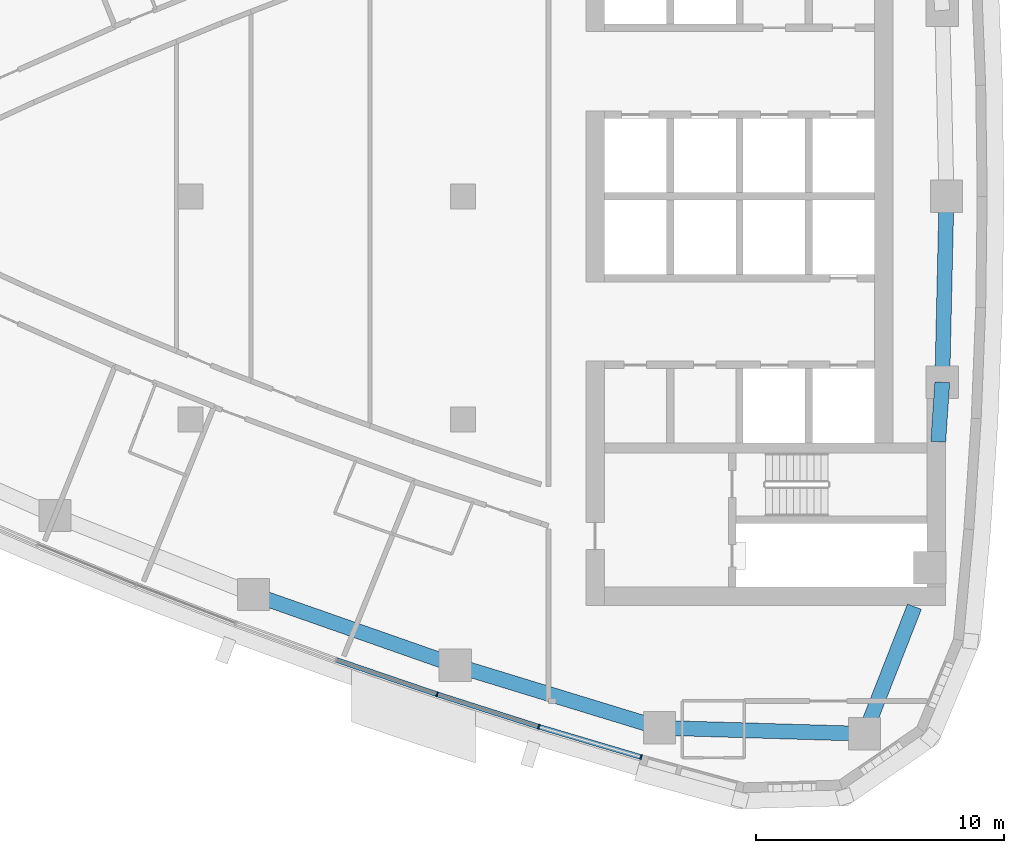
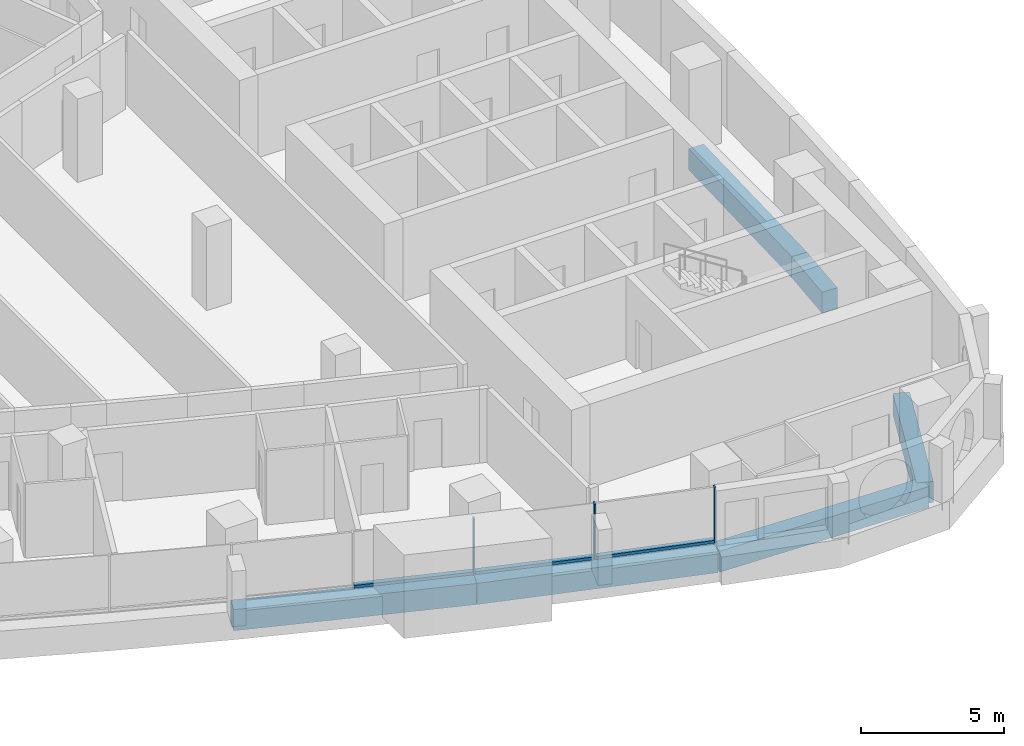
# One storey, part 4 of 17: 6 beams, 6 members, 2 elements without a shape of their own.
"""IFC4 building model written with IfcOpenShell, lengths in metres."""

from ifc_helpers import new_model, si_unit, direction, frame, origin, origin_2d, place, context, subcontext, project, spatial, rectangle, extrude, material, layer, layer_set, material_profile, profile_set, type_object, element, aggregate, save


model = new_model("IFC4")

# Units and contexts
model_context = context("Model", 3, precision=1e-05, world=origin(), true_north=direction((0.0, 1.0)))
body_context = subcontext(model_context, "Body", "Model", "MODEL_VIEW")
ifc_project = project(units=[si_unit("LENGTHUNIT", "METRE"), si_unit("AREAUNIT", "SQUARE_METRE"), si_unit("VOLUMEUNIT", "CUBIC_METRE"), si_unit("PLANEANGLEUNIT", "RADIAN"), si_unit("MASSUNIT", "GRAM", prefix="KILO")], contexts=[model_context])

# Site, building, storey
site_placement = place(None, origin())
site = spatial("IfcSite", under=ifc_project, at=site_placement, CompositionType="ELEMENT")
building_placement = place(site_placement, origin())
building = spatial("IfcBuilding", under=site, at=building_placement, Name="Ostrand Prow Hotel Tower", CompositionType="ELEMENT")
storey_placement = place(building_placement, frame((0.0, 0.0, 207.449951171875)))
storey = spatial("IfcBuildingStorey", under=building, at=storey_placement, Name="L52", CompositionType="ELEMENT", Elevation=207.449951171875)

# Beams
ifc_material_1 = material(Name="Concrete C60/75", Category="concrete")
ifc_material_profile_1 = material_profile(ifc_material_1, rectangle(XDim=0.60009765625, YDim=0.89990234375, at=origin_2d()), Name="RC 600x900")
ifc_profile_set_1 = profile_set([ifc_material_profile_1], Name="Concrete C60/75")
beam_type = type_object("IfcBeamType", Name="Edge beam 600x900 C60/75", PredefinedType="SPANDREL", material=ifc_profile_set_1)
for number, where, z_axis, x_axis, name in (
    (1, (36.547119140625, -16.060791015625, -0.75), (0.943593618681, -0.33110584831, 0.0), (0.33110584831, 0.943593618681, 0.0), "Edge beam S4-S5"),
    (2, (44.6826171875, -18.91552734375, -0.75), (0.956245556413, -0.292565267659, 0.0), (0.292565267659, 0.956245556413, 0.0), "Edge beam S5-S6"),
):
    element("IfcBeam", number, at=place(storey_placement, frame(where, z_axis=z_axis, x_axis=x_axis)), inside=storey, type_object=beam_type, Name=name, PredefinedType="SPANDREL", context=body_context, shape_type="SweptSolid", body=[
        extrude(rectangle(XDim=0.60009765625, YDim=0.89990234375, at=origin_2d()), origin(), (0.0, 0.0, 1.0), 8.621826171875),
    ])
beam_1_placement = place(storey_placement, frame((52.92724609375, -21.43798828125, -0.75), z_axis=(0.999575901438, -0.029120735993, 0.0), x_axis=(0.029120735993, 0.999575901438, 0.0)))
element("IfcBeam", 3, at=beam_1_placement, inside=storey, type_object=beam_type, Name="Edge beam S6-SE", PredefinedType="SPANDREL", context=body_context, shape_type="SweptSolid", body=[
    extrude(rectangle(XDim=0.60009765625, YDim=0.89990234375, at=origin_2d()), origin(), (0.0, 0.0, 1.0), 8.274658203125),
])
beam_2_placement = place(storey_placement, frame((61.198486328125, -21.678955078125, -0.75), z_axis=(0.364802049817, 0.931085100541, 0.0), x_axis=(-0.931085100541, 0.364802049817, 0.0)))
element("IfcBeam", 4, at=beam_2_placement, inside=storey, type_object=beam_type, Name="Edge beam SE-B1", PredefinedType="SPANDREL", context=body_context, shape_type="SweptSolid", body=[
    extrude(rectangle(XDim=0.60009765625, YDim=0.89990234375, at=origin_2d()), origin(), (0.0, 0.0, 1.0), 5.508544921875),
])
beam_3_placement = place(storey_placement, frame((64.167236328125, -9.89990234375, -0.75), z_axis=(0.067778284608, 0.997700408006, 0.0), x_axis=(-0.997700408006, 0.067778284608, 0.0)))
element("IfcBeam", 5, at=beam_3_placement, inside=storey, type_object=beam_type, Name="Edge beam B1-B2", PredefinedType="SPANDREL", context=body_context, shape_type="SweptSolid", body=[
    extrude(rectangle(XDim=0.60009765625, YDim=0.89990234375, at=origin_2d()), origin(), (0.0, 0.0, 1.0), 2.40625),
])
beam_4_placement = place(storey_placement, frame((64.330322265625, -7.499267578125, -0.75), z_axis=(0.022620118241, 0.999744132391, 0.0), x_axis=(-0.999744132391, 0.022620118241, 0.0)))
element("IfcBeam", 6, at=beam_4_placement, inside=storey, type_object=beam_type, Name="Edge beam B2-B3", PredefinedType="SPANDREL", context=body_context, shape_type="SweptSolid", body=[
    extrude(rectangle(XDim=0.60009765625, YDim=0.89990234375, at=origin_2d()), origin(), (0.0, 0.0, 1.0), 7.501220703125),
])

# Curtain wall, member
ifc_material_2 = material(Name="Insulated glass in bronze anodised frame", Category="glass")
ifc_layer = layer(ifc_material_2, 0.199951171875)
ifc_layer_set = layer_set([ifc_layer], Name="Insulated glass in bronze anodised frame")
curtain_wall_type = type_object("IfcCurtainWallType", Name="Strip curtain wall, fritted glass over bronze spandrel", PredefinedType="NOTDEFINED", material=ifc_layer_set)
curtain_wall_1_placement = place(storey_placement, origin())
curtain_wall_1 = element("IfcCurtainWall", 7, at=curtain_wall_1_placement, inside=storey, type_object=curtain_wall_type, Name="CW1 run CWS4", PredefinedType="NOTDEFINED")
ifc_material_3 = material(Name="Bronze anodised aluminium", Category="aluminium")
ifc_material_profile_2 = material_profile(ifc_material_3, rectangle(XDim=0.199951171875, YDim=0.06005859375, at=origin_2d()), Name="Mullion 60x200 bronze anodised aluminium")
ifc_profile_set_2 = profile_set([ifc_material_profile_2], Name="Bronze anodised aluminium")
member_type_1 = type_object("IfcMemberType", Name="Mullion 60x200 bronze anodised aluminium", PredefinedType="MULLION", material=ifc_profile_set_2)
member_1_placement = place(storey_placement, frame((43.95361328125, -20.086669921875, 0.900146484375), z_axis=(0.0, 0.0, 1.0), x_axis=(0.322908332404, 0.946430245113, 0.0)))
member_1 = element("IfcMember", 8, at=member_1_placement, type_object=member_type_1, Name="CW1 mullion 3", PredefinedType="MULLION", context=body_context, shape_type="SweptSolid", body=[
    extrude(rectangle(XDim=0.199951171875, YDim=0.06005859375, at=origin_2d()), origin(), (0.0, 0.0, 1.0), 2.349853515625),
])

# Curtain wall, members
curtain_wall_2_placement = place(storey_placement, origin())
curtain_wall_2 = element("IfcCurtainWall", 9, at=curtain_wall_2_placement, inside=storey, type_object=curtain_wall_type, Name="CW1 run CWS5", PredefinedType="NOTDEFINED")
member_2_placement = place(storey_placement, frame((48.055419921875, -21.39453125, 0.900146484375), z_axis=(0.0, 0.0, 1.0), x_axis=(0.284544113619, 0.958662947758, 0.0)))
member_2 = element("IfcMember", 10, at=member_2_placement, type_object=member_type_1, Name="CW1 mullion 2", PredefinedType="MULLION", context=body_context, shape_type="SweptSolid", body=[
    extrude(rectangle(XDim=0.199951171875, YDim=0.06005859375, at=origin_2d()), origin(), (0.0, 0.0, 1.0), 2.349853515625),
])
member_3_placement = place(storey_placement, frame((52.182373046875, -22.619384765625, 0.900146484375), z_axis=(0.0, 0.0, 1.0), x_axis=(0.284544113619, 0.958662947758, 0.0)))
member_3 = element("IfcMember", 11, at=member_3_placement, type_object=member_type_1, Name="CW1 mullion 3", PredefinedType="MULLION", context=body_context, shape_type="SweptSolid", body=[
    extrude(rectangle(XDim=0.199951171875, YDim=0.06005859375, at=origin_2d()), origin(), (0.0, 0.0, 1.0), 2.349853515625),
])

# Member
ifc_material_4 = material(Name="Bronze anodised aluminium", Category="aluminium")
ifc_material_profile_3 = material_profile(ifc_material_4, rectangle(XDim=0.199951171875, YDim=0.1201171875, at=origin_2d()), Name="Transom 120x200 bronze anodised aluminium")
ifc_profile_set_3 = profile_set([ifc_material_profile_3], Name="Bronze anodised aluminium")
member_type_2 = type_object("IfcMemberType", Name="Transom 120x200 bronze anodised aluminium", PredefinedType="USERDEFINED", material=ifc_profile_set_3)
member_4_placement = place(storey_placement, frame((39.90771484375, -18.706298828125, 0.9599609375), z_axis=(0.946422327772, -0.322931536852, 0.0), x_axis=(0.322931536852, 0.946422327772, 0.0)))
member_4 = element("IfcMember", 12, at=member_4_placement, type_object=member_type_2, Name="CW1 transom 2.1", ObjectType="TRANSOM", PredefinedType="USERDEFINED", context=body_context, shape_type="SweptSolid", body=[
    extrude(rectangle(XDim=0.199951171875, YDim=0.1201171875, at=origin_2d()), origin(), (0.0, 0.0, 1.0), 4.2451171875),
])

aggregate(curtain_wall_1, [member_1, member_4])

member_5_placement = place(storey_placement, frame((43.982421875, -20.095947265625, 0.9599609375), z_axis=(0.952737512605, -0.303794720289, 0.0), x_axis=(0.303794720289, 0.952737512605, 0.0)))
member_5 = element("IfcMember", 13, at=member_5_placement, type_object=member_type_2, Name="CW1 transom 1.1", ObjectType="TRANSOM", PredefinedType="USERDEFINED", context=body_context, shape_type="SweptSolid", body=[
    extrude(rectangle(XDim=0.199951171875, YDim=0.1201171875, at=origin_2d()), origin(), (0.0, 0.0, 1.0), 4.244873046875),
])

member_6_placement = place(storey_placement, frame((48.083984375, -21.403076171875, 0.9599609375), z_axis=(0.958661084062, -0.284550392558, 0.0), x_axis=(0.284550392558, 0.958661084062, 0.0)))
member_6 = element("IfcMember", 14, at=member_6_placement, type_object=member_type_2, Name="CW1 transom 2.1", ObjectType="TRANSOM", PredefinedType="USERDEFINED", context=body_context, shape_type="SweptSolid", body=[
    extrude(rectangle(XDim=0.199951171875, YDim=0.1201171875, at=origin_2d()), origin(), (0.0, 0.0, 1.0), 4.245361328125),
])

aggregate(curtain_wall_2, [member_2, member_3, member_5, member_6])

save(model, "model.ifc")
